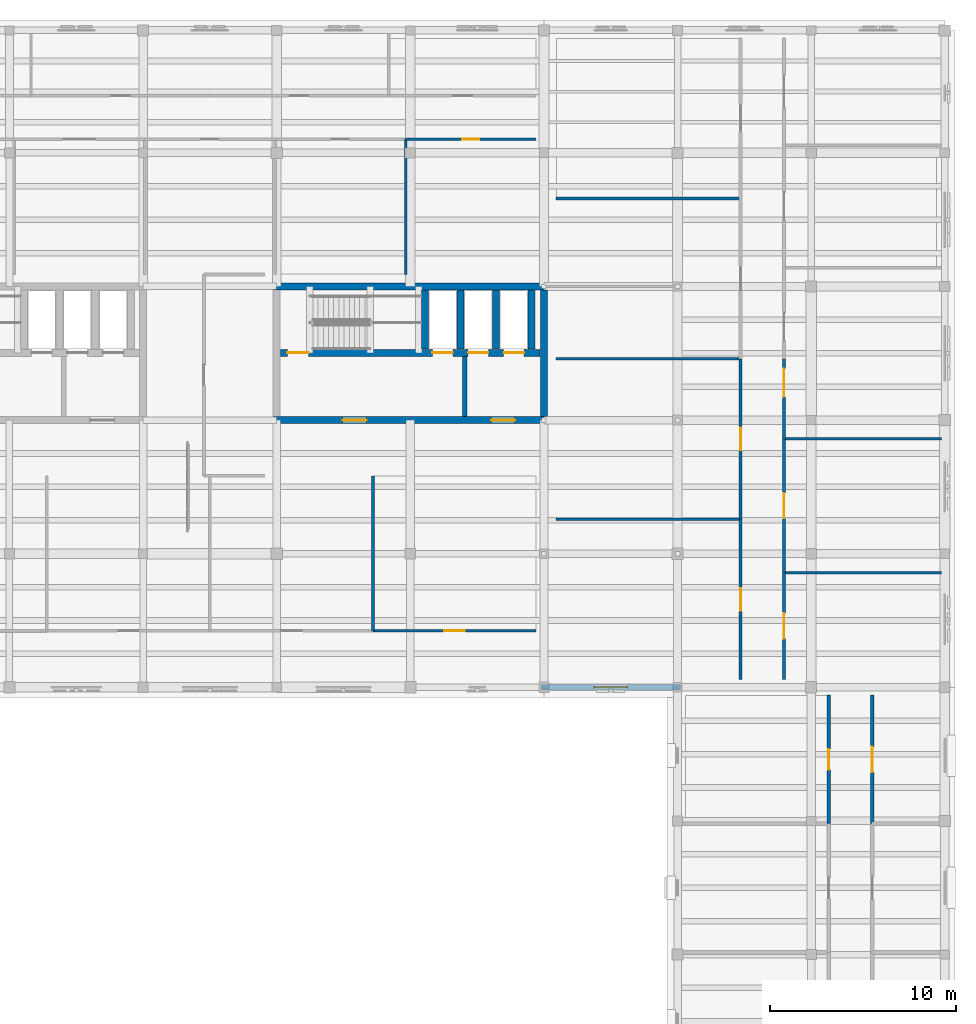
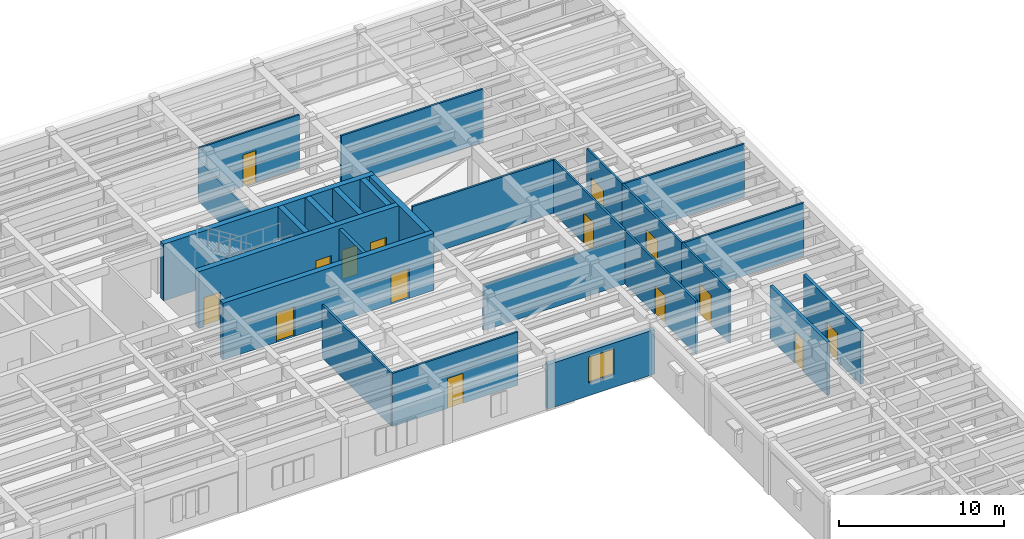
# One storey, part 18 of 27: 26 walls, 15 doors, 1 window, 16 openings.
"""IFC4 building model written with IfcOpenShell, lengths in metres."""

from ifc_helpers import new_model, si_unit, direction, frame, frame_2d, origin, place, context, subcontext, project, spatial, rectangle, extrude, material, layer, layer_set, type_object, element, fill, save


model = new_model("IFC4")

# Units and contexts
model_context = context("Model", 3, precision=1e-05, world=origin(), true_north=direction((0.0, 1.0)))
body_context = subcontext(model_context, "Body", "Model", "MODEL_VIEW")
ifc_project = project(units=[si_unit("LENGTHUNIT", "METRE"), si_unit("AREAUNIT", "SQUARE_METRE"), si_unit("VOLUMEUNIT", "CUBIC_METRE"), si_unit("PLANEANGLEUNIT", "RADIAN"), si_unit("MASSUNIT", "GRAM", prefix="KILO")], contexts=[model_context])

# Site, building, storey
site_placement = place(None, origin())
site = spatial("IfcSite", under=ifc_project, at=site_placement, CompositionType="ELEMENT")
building_placement = place(site_placement, origin())
building = spatial("IfcBuilding", under=site, at=building_placement, Name="Mithqara Police Headquarters", CompositionType="ELEMENT")
storey_placement = place(building_placement, frame((0.0, 0.0, 18.0)))
storey = spatial("IfcBuildingStorey", under=building, at=storey_placement, Name="L04", CompositionType="ELEMENT", Elevation=18.0)

# Wall
ifc_material_1 = material(Name="Concrete C40/50", Category="concrete")
ifc_layer_1 = layer(ifc_material_1, 0.239990234375, Name="Concrete C40/50")
ifc_layer_set_1 = layer_set([ifc_layer_1], Name="Concrete C40/50")
wall_type_1 = type_object("IfcWallType", Name="CORE LOBBY WALL 240", PredefinedType="SOLIDWALL", material=ifc_layer_set_1)
wall_1_placement = place(storey_placement, frame((140.330078125, 93.18994140625, 0.0), z_axis=(0.0, 0.0, 1.0), x_axis=(0.0, 1.0, 0.0)))
element("IfcWall", 1, at=wall_1_placement, inside=storey, type_object=wall_type_1, Name="Core C2 Command East Firefighting Lobby Separation Wall L04", PredefinedType="SOLIDWALL", context=body_context, shape_type="SweptSolid", body=[
    extrude(rectangle(XDim=3.239990234375, YDim=0.239990234375, at=frame_2d((1.6201171875, 0.0))), origin(), (0.0, 0.0, 1.0), 3.909912109375),
])

# Wall, opening, window
ifc_material_2 = material(Name="Ochre masonry cavity wall, 35 MPa", Category="masonry")
ifc_layer_2 = layer(ifc_material_2, 0.300048828125, Name="Ochre masonry cavity wall, 35 MPa")
ifc_layer_set_2 = layer_set([ifc_layer_2], Name="Ochre masonry cavity wall, 35 MPa")
wall_type_2 = type_object("IfcWallType", Name="EXT WALL OCHRE BRICK300", PredefinedType="SOLIDWALL", material=ifc_layer_set_2)
wall_2_placement = place(storey_placement, frame((144.449951171875, 78.60009765625, 0.0), z_axis=(0.0, 0.0, 1.0), x_axis=(1.0, 0.0, 0.0)))
wall_2 = element("IfcWall", 2, at=wall_2_placement, inside=storey, type_object=wall_type_2, Name="L04 Exterior Wall 15.1", PredefinedType="SOLIDWALL", context=body_context, shape_type="SweptSolid", body=[
    extrude(rectangle(XDim=7.5, YDim=0.300048828125, at=frame_2d((3.75, 0.0))), origin(), (0.0, 0.0, 1.0), 3.2900390625),
])
opening_1_placement = place(wall_2_placement, frame((2.85009765625, 0.0, 0.949951171875)))
opening_1 = element("IfcOpeningElement", 3, at=opening_1_placement, cuts=wall_2, Name="Opening W-33", PredefinedType="OPENING", context=body_context, shape_type="SweptSolid", body=[
    extrude(rectangle(XDim=1.800048828125, YDim=1.89990234375, at=frame_2d((0.89990234375, 0.949951171875))), frame((0.0, 0.16015625, 0.0), z_axis=(0.0, -1.0, 0.0), x_axis=(1.0, 0.0, 0.0)), (0.0, 0.0, 1.0), 0.320068359375),
])
ifc_material_3 = material(Name="Spectrally selective double low-e glass", Category="glass")
window_type = type_object("IfcWindowType", Name="WINDOW 1800X1900", PartitioningType="DOUBLE_PANEL_VERTICAL", PredefinedType="WINDOW", material=ifc_material_3)
window_placement = place(opening_1_placement, origin())
window = element("IfcWindow", 4, at=window_placement, inside=storey, type_object=window_type, Name="L04 Command Block Screened Window 15.1", OverallHeight=1.89990234375, OverallWidth=1.800048828125, PartitioningType="SINGLE_PANEL", PredefinedType="WINDOW", context=body_context, shape_type="SweptSolid", body=[
    extrude(rectangle(XDim=1.800048828125, YDim=1.89990234375, at=frame_2d((0.89990234375, 0.949951171875))), frame((0.0, 0.030029296875, 0.0), z_axis=(0.0, -1.0, 0.0), x_axis=(1.0, 0.0, 0.0)), (0.0, 0.0, 1.0), 0.06005859375),
])
fill(opening_1, window)

# Wall
ifc_material_4 = material(Name="Gypsum acoustic stud partition", Category="gypsum")
ifc_layer_3 = layer(ifc_material_4, 0.1201171875, Name="Gypsum acoustic stud partition")
ifc_layer_set_3 = layer_set([ifc_layer_3], Name="Gypsum acoustic stud partition")
wall_type_3 = type_object("IfcWallType", Name="PART WALL 120", PredefinedType="PARTITIONING", material=ifc_layer_set_3)
wall_3_placement = place(storey_placement, frame((137.14794921875, 100.85009765625, 0.0), z_axis=(0.0, 0.0, 1.0), x_axis=(0.0, 1.0, 0.0)))
element("IfcWall", 5, at=wall_3_placement, inside=storey, type_object=wall_type_3, Name="L04 Room Partition Forensic Accounting Room", PredefinedType="PARTITIONING", context=body_context, shape_type="SweptSolid", body=[
    extrude(rectangle(XDim=7.289794921875, YDim=0.1201171875, at=frame_2d((3.64501953125, 0.0))), origin(), (0.0, 0.0, 1.0), 3.0400390625),
])

# Wall, opening, door
wall_4_placement = place(storey_placement, frame((137.14794921875, 108.139892578125, 0.0), z_axis=(0.0, 0.0, 1.0), x_axis=(1.0, 0.0, 0.0)))
wall_4 = element("IfcWall", 6, at=wall_4_placement, inside=storey, type_object=wall_type_3, Name="L04 Corridor Wall Financial Crime Investigation Office", PredefinedType="PARTITIONING", context=body_context, shape_type="SweptSolid", body=[
    extrude(rectangle(XDim=7.031982421875, YDim=0.1201171875, at=frame_2d((3.51611328125, 0.0))), origin(), (0.0, 0.0, 1.0), 3.93994140625),
])
opening_2_placement = place(wall_4_placement, frame((3.055908203125, 0.0, 0.0)))
opening_2 = element("IfcOpeningElement", 7, at=opening_2_placement, cuts=wall_4, Name="Opening D-03", PredefinedType="OPENING", context=body_context, shape_type="SweptSolid", body=[
    extrude(rectangle(XDim=0.919921875, YDim=2.35009765625, at=frame_2d((0.4599609375, 1.175048828125))), frame((0.0, 0.070068359375, 0.0), z_axis=(0.0, -1.0, 0.0), x_axis=(1.0, 0.0, 0.0)), (0.0, 0.0, 1.0), 0.14013671875),
])
ifc_material_5 = material(Name="Acoustic solid-core timber leaf", Category="wood")
door_type_1 = type_object("IfcDoorType", Name="INT DOOR 920X2350", OperationType="NOTDEFINED", PredefinedType="DOOR", material=ifc_material_5)
door_1_placement = place(opening_2_placement, frame((0.919921875, 0.0, 0.0), z_axis=(0.0, 0.0, 1.0), x_axis=(-1.0, 0.0, 0.0)))
door_1 = element("IfcDoor", 8, at=door_1_placement, inside=storey, type_object=door_type_1, Name="Financial Crime Investigation Office Entry Door", OperationType="SINGLE_SWING_RIGHT", OverallHeight=2.35009765625, OverallWidth=0.919921875, PredefinedType="DOOR", context=body_context, shape_type="SweptSolid", body=[
    extrude(rectangle(XDim=0.919921875, YDim=2.35009765625, at=frame_2d((0.4599609375, 1.175048828125))), frame((0.0, 0.02490234375, 0.0), z_axis=(0.0, -1.0, 0.0), x_axis=(1.0, 0.0, 0.0)), (0.0, 0.0, 1.0), 0.050048828125),
])
fill(opening_2, door_1)

# Wall
ifc_layer_4 = layer(ifc_material_4, 0.139892578125, Name="Gypsum acoustic stud partition")
ifc_layer_set_4 = layer_set([ifc_layer_4], Name="Gypsum acoustic stud partition")
wall_type_4 = type_object("IfcWallType", Name="PART WALL 140", PredefinedType="PARTITIONING", material=ifc_layer_set_4)
wall_5_placement = place(storey_placement, frame((135.389892578125, 81.639892578125, 0.0), z_axis=(0.0, 0.0, 1.0), x_axis=(0.0, 1.0, 0.0)))
element("IfcWall", 9, at=wall_5_placement, inside=storey, type_object=wall_type_4, Name="L04 Room Partition Case Briefing Room", PredefinedType="PARTITIONING", context=body_context, shape_type="SweptSolid", body=[
    extrude(rectangle(XDim=8.360107421875, YDim=0.139892578125, at=frame_2d((4.18017578125, 0.0))), origin(), (0.0, 0.0, 1.0), 3.93994140625),
])

# Wall, opening, door
wall_6_placement = place(storey_placement, frame((135.389892578125, 81.639892578125, 0.0), z_axis=(0.0, 0.0, 1.0), x_axis=(1.0, 0.0, 0.0)))
wall_6 = element("IfcWall", 10, at=wall_6_placement, inside=storey, type_object=wall_type_4, Name="L04 Corridor Wall Forensic Accounting Room", PredefinedType="PARTITIONING", context=body_context, shape_type="SweptSolid", body=[
    extrude(rectangle(XDim=8.7900390625, YDim=0.139892578125, at=frame_2d((4.39501953125, 0.0))), origin(), (0.0, 0.0, 1.0), 3.93994140625),
])
opening_3_placement = place(wall_6_placement, frame((3.844970703125, 0.0, 0.0)))
opening_3 = element("IfcOpeningElement", 11, at=opening_3_placement, cuts=wall_6, Name="Opening D-11", PredefinedType="OPENING", context=body_context, shape_type="SweptSolid", body=[
    extrude(rectangle(XDim=1.10009765625, YDim=2.219970703125, at=frame_2d((0.550048828125, 1.10986328125))), frame((0.0, 0.080078125, 0.0), z_axis=(0.0, -1.0, 0.0), x_axis=(1.0, 0.0, 0.0)), (0.0, 0.0, 1.0), 0.159912109375),
])
door_type_2 = type_object("IfcDoorType", Name="INT DOOR 1100X2220", OperationType="NOTDEFINED", PredefinedType="DOOR", material=ifc_material_5)
door_2_placement = place(opening_3_placement, origin())
door_2 = element("IfcDoor", 12, at=door_2_placement, inside=storey, type_object=door_type_2, Name="Forensic Accounting Room Entry Door", OperationType="SINGLE_SWING_RIGHT", OverallHeight=2.219970703125, OverallWidth=1.10009765625, PredefinedType="DOOR", context=body_context, shape_type="SweptSolid", body=[
    extrude(rectangle(XDim=1.10009765625, YDim=2.219970703125, at=frame_2d((0.550048828125, 1.10986328125))), frame((0.0, 0.02490234375, 0.0), z_axis=(0.0, -1.0, 0.0), x_axis=(1.0, 0.0, 0.0)), (0.0, 0.0, 1.0), 0.050048828125),
])
fill(opening_3, door_2)

wall_7_placement = place(storey_placement, frame((155.195068359375, 79.02001953125, 0.0), z_axis=(0.0, 0.0, 1.0), x_axis=(0.0, 1.0, 0.0)))
wall_7 = element("IfcWall", 13, at=wall_7_placement, inside=storey, type_object=wall_type_4, Name="L04 Corridor Wall International Cooperation Desk", PredefinedType="PARTITIONING", context=body_context, shape_type="SweptSolid", body=[
    extrude(rectangle(XDim=8.639892578125, YDim=0.139892578125, at=frame_2d((4.31982421875, 0.0))), origin(), (0.0, 0.0, 1.0), 3.93994140625),
])
opening_4_placement = place(wall_7_placement, frame((3.7099609375, 0.0, 0.0)))
opening_4 = element("IfcOpeningElement", 14, at=opening_4_placement, cuts=wall_7, Name="Opening D-13", PredefinedType="OPENING", context=body_context, shape_type="SweptSolid", body=[
    extrude(rectangle(XDim=1.219970703125, YDim=2.10009765625, at=frame_2d((0.60986328125, 1.050048828125))), frame((0.0, 0.080078125, 0.0), z_axis=(0.0, -1.0, 0.0), x_axis=(1.0, 0.0, 0.0)), (0.0, 0.0, 1.0), 0.159912109375),
])
door_type_3 = type_object("IfcDoorType", Name="INT DOOR 1220X2100", OperationType="NOTDEFINED", PredefinedType="DOOR", material=ifc_material_5)
door_3_placement = place(opening_4_placement, frame((1.219970703125, 0.0, 0.0), z_axis=(0.0, 0.0, 1.0), x_axis=(-1.0, 0.0, 0.0)))
door_3 = element("IfcDoor", 15, at=door_3_placement, inside=storey, type_object=door_type_3, Name="International Cooperation Desk Entry Door", OperationType="SINGLE_SWING_RIGHT", OverallHeight=2.10009765625, OverallWidth=1.219970703125, PredefinedType="DOOR", context=body_context, shape_type="SweptSolid", body=[
    extrude(rectangle(XDim=1.219970703125, YDim=2.10009765625, at=frame_2d((0.60986328125, 1.050048828125))), frame((0.0, 0.02490234375, 0.0), z_axis=(0.0, -1.0, 0.0), x_axis=(1.0, 0.0, 0.0)), (0.0, 0.0, 1.0), 0.050048828125),
])
fill(opening_4, door_3)

# Wall
wall_8_placement = place(storey_placement, frame((145.25, 87.659912109375, 0.0), z_axis=(0.0, 0.0, 1.0), x_axis=(1.0, 0.0, 0.0)))
element("IfcWall", 16, at=wall_8_placement, inside=storey, type_object=wall_type_4, Name="L04 Room Partition International Cooperation Desk", PredefinedType="PARTITIONING", context=body_context, shape_type="SweptSolid", body=[
    extrude(rectangle(XDim=9.945068359375, YDim=0.139892578125, at=frame_2d((4.97265625, 0.0))), origin(), (0.0, 0.0, 1.0), 3.389892578125),
])

# Wall, opening, door
wall_9_placement = place(storey_placement, frame((155.195068359375, 87.659912109375, 0.0), z_axis=(0.0, 0.0, 1.0), x_axis=(0.0, 1.0, 0.0)))
wall_9 = element("IfcWall", 17, at=wall_9_placement, inside=storey, type_object=wall_type_4, Name="L04 Corridor Wall Extradition Casework Office", PredefinedType="PARTITIONING", context=body_context, shape_type="SweptSolid", body=[
    extrude(rectangle(XDim=8.64013671875, YDim=0.139892578125, at=frame_2d((4.320068359375, 0.0))), origin(), (0.0, 0.0, 1.0), 3.93994140625),
])
opening_5_placement = place(wall_9_placement, frame((3.7099609375, 0.0, 0.0)))
opening_5 = element("IfcOpeningElement", 18, at=opening_5_placement, cuts=wall_9, Name="Opening D-14", PredefinedType="OPENING", context=body_context, shape_type="SweptSolid", body=[
    extrude(rectangle(XDim=1.219970703125, YDim=2.219970703125, at=frame_2d((0.60986328125, 1.10986328125))), frame((0.0, 0.080078125, 0.0), z_axis=(0.0, -1.0, 0.0), x_axis=(1.0, 0.0, 0.0)), (0.0, 0.0, 1.0), 0.159912109375),
])
door_type_4 = type_object("IfcDoorType", Name="INT DOOR 1220X2220", OperationType="NOTDEFINED", PredefinedType="DOOR", material=ifc_material_5)
door_4_placement = place(opening_5_placement, frame((1.219970703125, 0.0, 0.0), z_axis=(0.0, 0.0, 1.0), x_axis=(-1.0, 0.0, 0.0)))
door_4 = element("IfcDoor", 19, at=door_4_placement, inside=storey, type_object=door_type_4, Name="Extradition Casework Office Entry Door", OperationType="SINGLE_SWING_LEFT", OverallHeight=2.219970703125, OverallWidth=1.219970703125, PredefinedType="DOOR", context=body_context, shape_type="SweptSolid", body=[
    extrude(rectangle(XDim=1.219970703125, YDim=2.219970703125, at=frame_2d((0.60986328125, 1.10986328125))), frame((0.0, 0.02490234375, 0.0), z_axis=(0.0, -1.0, 0.0), x_axis=(1.0, 0.0, 0.0)), (0.0, 0.0, 1.0), 0.050048828125),
])
fill(opening_5, door_4)

# Walls
for number, where, z_axis, x_axis, name in (
    (20, (145.25, 96.300048828125, 0.0), (0.0, 0.0, 1.0), (1.0, 0.0, 0.0), "L04 Room Partition Extradition Casework Office"),
    (21, (145.25, 104.93994140625, 0.0), (0.0, 0.0, 1.0), (1.0, 0.0, 0.0), "L04 Room Partition Male Staff WC"),
):
    element("IfcWall", number, at=place(storey_placement, frame(where, z_axis=z_axis, x_axis=x_axis)), inside=storey, type_object=wall_type_4, Name=name, PredefinedType="PARTITIONING", context=body_context, shape_type="SweptSolid", body=[
        extrude(rectangle(XDim=9.945068359375, YDim=0.139892578125, at=frame_2d((4.97265625, 0.0))), origin(), (0.0, 0.0, 1.0), 3.93994140625),
    ])

# Wall, opening, door
wall_10_placement = place(storey_placement, frame((157.534912109375, 79.02001953125, 0.0), z_axis=(0.0, 0.0, 1.0), x_axis=(0.0, 1.0, 0.0)))
wall_10 = element("IfcWall", 22, at=wall_10_placement, inside=storey, type_object=wall_type_4, Name="L04 Corridor Wall International Cooperation Desk", PredefinedType="PARTITIONING", context=body_context, shape_type="SweptSolid", body=[
    extrude(rectangle(XDim=5.760009765625, YDim=0.139892578125, at=frame_2d((2.8798828125, 0.0))), origin(), (0.0, 0.0, 1.0), 3.93994140625),
])
opening_6_placement = place(wall_10_placement, frame((2.199951171875, 0.0, 0.0)))
opening_6 = element("IfcOpeningElement", 23, at=opening_6_placement, cuts=wall_10, Name="Opening D-17", PredefinedType="OPENING", context=body_context, shape_type="SweptSolid", body=[
    extrude(rectangle(XDim=1.360107421875, YDim=2.219970703125, at=frame_2d((0.68017578125, 1.10986328125))), frame((0.0, 0.080078125, 0.0), z_axis=(0.0, -1.0, 0.0), x_axis=(1.0, 0.0, 0.0)), (0.0, 0.0, 1.0), 0.159912109375),
])
ifc_material_6 = material(Name="Bronze anodised aluminium 6063-T6", Category="aluminium")
door_type_5 = type_object("IfcDoorType", Name="INT DOOR 1360X2220", OperationType="NOTDEFINED", PredefinedType="DOOR", material=ifc_material_6)
door_5_placement = place(opening_6_placement, origin())
door_5 = element("IfcDoor", 24, at=door_5_placement, inside=storey, type_object=door_type_5, Name="International Cooperation Desk Entry Door", OperationType="SINGLE_SWING_RIGHT", OverallHeight=2.219970703125, OverallWidth=1.360107421875, PredefinedType="DOOR", context=body_context, shape_type="SweptSolid", body=[
    extrude(rectangle(XDim=1.360107421875, YDim=2.219970703125, at=frame_2d((0.68017578125, 1.10986328125))), frame((0.0, 0.02490234375, 0.0), z_axis=(0.0, -1.0, 0.0), x_axis=(1.0, 0.0, 0.0)), (0.0, 0.0, 1.0), 0.050048828125),
])
fill(opening_6, door_5)

# Wall
wall_11_placement = place(storey_placement, frame((157.534912109375, 84.780029296875, 0.0), z_axis=(0.0, 0.0, 1.0), x_axis=(1.0, 0.0, 0.0)))
element("IfcWall", 25, at=wall_11_placement, inside=storey, type_object=wall_type_4, Name="L04 Room Partition International Cooperation Desk", PredefinedType="PARTITIONING", context=body_context, shape_type="SweptSolid", body=[
    extrude(rectangle(XDim=8.485107421875, YDim=0.139892578125, at=frame_2d((4.24267578125, 0.0))), origin(), (0.0, 0.0, 1.0), 3.93994140625),
])

# Wall, opening, door
wall_12_placement = place(storey_placement, frame((157.534912109375, 84.780029296875, 0.0), z_axis=(0.0, 0.0, 1.0), x_axis=(0.0, 1.0, 0.0)))
wall_12 = element("IfcWall", 26, at=wall_12_placement, inside=storey, type_object=wall_type_4, Name="L04 Corridor Wall International Cooperation Desk", PredefinedType="PARTITIONING", context=body_context, shape_type="SweptSolid", body=[
    extrude(rectangle(XDim=7.2099609375, YDim=0.139892578125, at=frame_2d((3.60498046875, 0.0))), origin(), (0.0, 0.0, 1.0), 3.93994140625),
])
opening_7_placement = place(wall_12_placement, frame((2.925048828125, 0.0, 0.0)))
opening_7 = element("IfcOpeningElement", 27, at=opening_7_placement, cuts=wall_12, Name="Opening D-18", PredefinedType="OPENING", context=body_context, shape_type="SweptSolid", body=[
    extrude(rectangle(XDim=1.360107421875, YDim=2.35009765625, at=frame_2d((0.68017578125, 1.175048828125))), frame((0.0, 0.080078125, 0.0), z_axis=(0.0, -1.0, 0.0), x_axis=(1.0, 0.0, 0.0)), (0.0, 0.0, 1.0), 0.159912109375),
])
door_type_6 = type_object("IfcDoorType", Name="INT DOOR 1360X2350", OperationType="NOTDEFINED", PredefinedType="DOOR", material=ifc_material_6)
door_6_placement = place(opening_7_placement, origin())
door_6 = element("IfcDoor", 28, at=door_6_placement, inside=storey, type_object=door_type_6, Name="International Cooperation Desk Entry Door", OperationType="SINGLE_SWING_LEFT", OverallHeight=2.35009765625, OverallWidth=1.360107421875, PredefinedType="DOOR", context=body_context, shape_type="SweptSolid", body=[
    extrude(rectangle(XDim=1.360107421875, YDim=2.35009765625, at=frame_2d((0.68017578125, 1.175048828125))), frame((0.0, 0.02490234375, 0.0), z_axis=(0.0, -1.0, 0.0), x_axis=(1.0, 0.0, 0.0)), (0.0, 0.0, 1.0), 0.050048828125),
])
fill(opening_7, door_6)

# Wall
wall_13_placement = place(storey_placement, frame((157.534912109375, 91.989990234375, 0.0), z_axis=(0.0, 0.0, 1.0), x_axis=(1.0, 0.0, 0.0)))
element("IfcWall", 29, at=wall_13_placement, inside=storey, type_object=wall_type_4, Name="L04 Room Partition International Cooperation Desk", PredefinedType="PARTITIONING", context=body_context, shape_type="SweptSolid", body=[
    extrude(rectangle(XDim=8.485107421875, YDim=0.139892578125, at=frame_2d((4.24267578125, 0.0))), origin(), (0.0, 0.0, 1.0), 3.93994140625),
])

# Wall, opening, door
wall_14_placement = place(storey_placement, frame((157.534912109375, 91.989990234375, 0.0), z_axis=(0.0, 0.0, 1.0), x_axis=(0.0, 1.0, 0.0)))
wall_14 = element("IfcWall", 30, at=wall_14_placement, inside=storey, type_object=wall_type_4, Name="L04 Corridor Wall Extradition Casework Office", PredefinedType="PARTITIONING", context=body_context, shape_type="SweptSolid", body=[
    extrude(rectangle(XDim=4.31005859375, YDim=0.139892578125, at=frame_2d((2.155029296875, 0.0))), origin(), (0.0, 0.0, 1.0), 3.93994140625),
])
opening_8_placement = place(wall_14_placement, frame((2.257080078125, 0.0, 0.0)))
opening_8 = element("IfcOpeningElement", 31, at=opening_8_placement, cuts=wall_14, Name="Opening D-19", PredefinedType="OPENING", context=body_context, shape_type="SweptSolid", body=[
    extrude(rectangle(XDim=1.52001953125, YDim=2.10009765625, at=frame_2d((0.760009765625, 1.050048828125))), frame((0.0, 0.080078125, 0.0), z_axis=(0.0, -1.0, 0.0), x_axis=(1.0, 0.0, 0.0)), (0.0, 0.0, 1.0), 0.159912109375),
])
door_type_7 = type_object("IfcDoorType", Name="INT DOOR 1520X2100", OperationType="NOTDEFINED", PredefinedType="DOOR", material=ifc_material_6)
door_7_placement = place(opening_8_placement, origin())
door_7 = element("IfcDoor", 32, at=door_7_placement, inside=storey, type_object=door_type_7, Name="Extradition Casework Office Entry Door", OperationType="DOUBLE_DOOR_SINGLE_SWING", OverallHeight=2.10009765625, OverallWidth=1.52001953125, PredefinedType="DOOR", context=body_context, shape_type="SweptSolid", body=[
    extrude(rectangle(XDim=1.52001953125, YDim=2.10009765625, at=frame_2d((0.760009765625, 1.050048828125))), frame((0.0, 0.02490234375, 0.0), z_axis=(0.0, -1.0, 0.0), x_axis=(1.0, 0.0, 0.0)), (0.0, 0.0, 1.0), 0.050048828125),
])
fill(opening_8, door_7)

ifc_layer_5 = layer(ifc_material_1, 0.2099609375, Name="Concrete C40/50")
ifc_layer_set_5 = layer_set([ifc_layer_5], Name="Concrete C40/50")
wall_type_5 = type_object("IfcWallType", Name="PART WALL 210", PredefinedType="PARTITIONING", material=ifc_layer_set_5)
wall_15_placement = place(storey_placement, frame((159.949951171875, 71.248046875, 0.0), z_axis=(0.0, 0.0, 1.0), x_axis=(0.0, 1.0, 0.0)))
wall_15 = element("IfcWall", 33, at=wall_15_placement, inside=storey, type_object=wall_type_5, Name="L04 Corridor Wall Spectrometry Room", PredefinedType="PARTITIONING", context=body_context, shape_type="SweptSolid", body=[
    extrude(rectangle(XDim=6.931884765625, YDim=0.2099609375, at=frame_2d((3.4658203125, 0.0))), origin(), (0.0, 0.0, 1.0), 3.93994140625),
])
opening_9_placement = place(wall_15_placement, frame((2.916015625, 0.0, 0.0)))
opening_9 = element("IfcOpeningElement", 34, at=opening_9_placement, cuts=wall_15, Name="Opening D-12", PredefinedType="OPENING", context=body_context, shape_type="SweptSolid", body=[
    extrude(rectangle(XDim=1.10009765625, YDim=2.35009765625, at=frame_2d((0.550048828125, 1.175048828125))), frame((0.0, 0.114990234375, 0.0), z_axis=(0.0, -1.0, 0.0), x_axis=(1.0, 0.0, 0.0)), (0.0, 0.0, 1.0), 0.22998046875),
])
door_type_8 = type_object("IfcDoorType", Name="INT DOOR 1100X2350", OperationType="NOTDEFINED", PredefinedType="DOOR", material=ifc_material_5)
door_8_placement = place(opening_9_placement, frame((1.10009765625, 0.0, 0.0), z_axis=(0.0, 0.0, 1.0), x_axis=(-1.0, 0.0, 0.0)))
door_8 = element("IfcDoor", 35, at=door_8_placement, inside=storey, type_object=door_type_8, Name="Spectrometry Room Entry Door", OperationType="SINGLE_SWING_LEFT", OverallHeight=2.35009765625, OverallWidth=1.10009765625, PredefinedType="DOOR", context=body_context, shape_type="SweptSolid", body=[
    extrude(rectangle(XDim=1.10009765625, YDim=2.35009765625, at=frame_2d((0.550048828125, 1.175048828125))), frame((0.0, 0.02490234375, 0.0), z_axis=(0.0, -1.0, 0.0), x_axis=(1.0, 0.0, 0.0)), (0.0, 0.0, 1.0), 0.050048828125),
])
fill(opening_9, door_8)

wall_16_placement = place(storey_placement, frame((162.2900390625, 71.248046875, 0.0), z_axis=(0.0, 0.0, 1.0), x_axis=(0.0, 1.0, 0.0)))
wall_16 = element("IfcWall", 36, at=wall_16_placement, inside=storey, type_object=wall_type_5, Name="L04 Corridor Wall Spectrometry Room", PredefinedType="PARTITIONING", context=body_context, shape_type="SweptSolid", body=[
    extrude(rectangle(XDim=6.931884765625, YDim=0.2099609375, at=frame_2d((3.4658203125, 0.0))), origin(), (0.0, 0.0, 1.0), 3.93994140625),
])
opening_10_placement = place(wall_16_placement, frame((2.785888671875, 0.0, 0.0)))
opening_10 = element("IfcOpeningElement", 37, at=opening_10_placement, cuts=wall_16, Name="Opening D-16", PredefinedType="OPENING", context=body_context, shape_type="SweptSolid", body=[
    extrude(rectangle(XDim=1.360107421875, YDim=2.10009765625, at=frame_2d((0.68017578125, 1.050048828125))), frame((0.0, 0.114990234375, 0.0), z_axis=(0.0, -1.0, 0.0), x_axis=(1.0, 0.0, 0.0)), (0.0, 0.0, 1.0), 0.22998046875),
])
door_type_9 = type_object("IfcDoorType", Name="INT DOOR 1360X2100", OperationType="NOTDEFINED", PredefinedType="DOOR", material=ifc_material_6)
door_9_placement = place(opening_10_placement, origin())
door_9 = element("IfcDoor", 38, at=door_9_placement, inside=storey, type_object=door_type_9, Name="Spectrometry Room Entry Door", OperationType="SINGLE_SWING_LEFT", OverallHeight=2.10009765625, OverallWidth=1.360107421875, PredefinedType="DOOR", context=body_context, shape_type="SweptSolid", body=[
    extrude(rectangle(XDim=1.360107421875, YDim=2.10009765625, at=frame_2d((0.68017578125, 1.050048828125))), frame((0.0, 0.02490234375, 0.0), z_axis=(0.0, -1.0, 0.0), x_axis=(1.0, 0.0, 0.0)), (0.0, 0.0, 1.0), 0.050048828125),
])
fill(opening_10, door_9)

# Wall
ifc_material_7 = material(Name="Concrete C50/60", Category="concrete")
ifc_layer_6 = layer(ifc_material_7, 0.3798828125, Name="Concrete C50/60")
ifc_layer_set_6 = layer_set([ifc_layer_6], Name="Concrete C50/60")
wall_type_6 = type_object("IfcWallType", Name="SHEAR WALL 380", PredefinedType="SHEAR", material=ifc_layer_set_6)
wall_17_placement = place(storey_placement, frame((130.010009765625, 100.199951171875, 0.0), z_axis=(0.0, 0.0, 1.0), x_axis=(1.0, 0.0, 0.0)))
element("IfcWall", 39, at=wall_17_placement, inside=storey, type_object=wall_type_6, Name="Core C2 Command East Shear Wall N", PredefinedType="SHEAR", context=body_context, shape_type="SweptSolid", body=[
    extrude(rectangle(XDim=14.780029296875, YDim=0.3798828125, at=frame_2d((7.39013671875, 0.0))), origin(), (0.0, 0.0, 1.0), 4.199951171875),
])

# Wall, openings, doors
wall_18_placement = place(storey_placement, frame((130.010009765625, 93.0, 0.0), z_axis=(0.0, 0.0, 1.0), x_axis=(1.0, 0.0, 0.0)))
wall_18 = element("IfcWall", 40, at=wall_18_placement, inside=storey, type_object=wall_type_6, Name="Core C2 Command East Shear Wall S", PredefinedType="SHEAR", context=body_context, shape_type="SweptSolid", body=[
    extrude(rectangle(XDim=14.780029296875, YDim=0.3798828125, at=frame_2d((7.39013671875, 0.0))), origin(), (0.0, 0.0, 1.0), 4.199951171875),
])
opening_11_placement = place(wall_18_placement, frame((3.739990234375, 0.0, 0.0)))
opening_11 = element("IfcOpeningElement", 41, at=opening_11_placement, cuts=wall_18, Name="Opening FD-02", PredefinedType="OPENING", context=body_context, shape_type="SweptSolid", body=[
    extrude(rectangle(XDim=1.300048828125, YDim=2.199951171875, at=frame_2d((0.64990234375, 1.10009765625))), frame((0.0, 0.199951171875, 0.0), z_axis=(0.0, -1.0, 0.0), x_axis=(1.0, 0.0, 0.0)), (0.0, 0.0, 1.0), 0.39990234375),
])
opening_12_placement = place(wall_18_placement, frame((11.739990234375, 0.0, 0.0)))
opening_12 = element("IfcOpeningElement", 42, at=opening_12_placement, cuts=wall_18, Name="Opening FD-02", PredefinedType="OPENING", context=body_context, shape_type="SweptSolid", body=[
    extrude(rectangle(XDim=1.300048828125, YDim=2.199951171875, at=frame_2d((0.64990234375, 1.10009765625))), frame((0.0, 0.199951171875, 0.0), z_axis=(0.0, -1.0, 0.0), x_axis=(1.0, 0.0, 0.0)), (0.0, 0.0, 1.0), 0.39990234375),
])
ifc_material_8 = material(Name="Steel S355JR", Category="steel")
door_type_10 = type_object("IfcDoorType", Name="CORE DOOR LOBBY 1300X2200", OperationType="NOTDEFINED", PredefinedType="DOOR", material=ifc_material_8)
door_10_placement = place(opening_11_placement, frame((1.300048828125, 0.0, 0.0), z_axis=(0.0, 0.0, 1.0), x_axis=(-1.0, 0.0, 0.0)))
door_10 = element("IfcDoor", 43, at=door_10_placement, inside=storey, type_object=door_type_10, Name="Core C2 Command East FF Lobby Fire Door L04", OperationType="SINGLE_SWING_LEFT", OverallHeight=2.199951171875, OverallWidth=1.300048828125, PredefinedType="DOOR", context=body_context, shape_type="SweptSolid", body=[
    extrude(rectangle(XDim=1.300048828125, YDim=2.199951171875, at=frame_2d((0.64990234375, 1.10009765625))), frame((0.0, 0.02490234375, 0.0), z_axis=(0.0, -1.0, 0.0), x_axis=(1.0, 0.0, 0.0)), (0.0, 0.0, 1.0), 0.050048828125),
])
fill(opening_11, door_10)
door_11_placement = place(opening_12_placement, frame((1.300048828125, 0.0, 0.0), z_axis=(0.0, 0.0, 1.0), x_axis=(-1.0, 0.0, 0.0)))
door_11 = element("IfcDoor", 44, at=door_11_placement, inside=storey, type_object=door_type_10, Name="Core C2 Command East PA Lobby Fire Door L04", OperationType="SINGLE_SWING_RIGHT", OverallHeight=2.199951171875, OverallWidth=1.300048828125, PredefinedType="DOOR", context=body_context, shape_type="SweptSolid", body=[
    extrude(rectangle(XDim=1.300048828125, YDim=2.199951171875, at=frame_2d((0.64990234375, 1.10009765625))), frame((0.0, 0.02490234375, 0.0), z_axis=(0.0, -1.0, 0.0), x_axis=(1.0, 0.0, 0.0)), (0.0, 0.0, 1.0), 0.050048828125),
])
fill(opening_12, door_11)

# Wall
wall_19_placement = place(storey_placement, frame((144.60009765625, 93.199951171875, 0.0), z_axis=(0.0, 0.0, 1.0), x_axis=(0.0, 1.0, 0.0)))
element("IfcWall", 45, at=wall_19_placement, inside=storey, type_object=wall_type_6, Name="Core C2 Command East Shear Wall E", PredefinedType="SHEAR", context=body_context, shape_type="SweptSolid", body=[
    extrude(rectangle(XDim=6.800048828125, YDim=0.3798828125, at=frame_2d((3.39990234375, 0.0))), origin(), (0.0, 0.0, 1.0), 4.199951171875),
])

# Wall, openings, doors
wall_20_placement = place(storey_placement, frame((130.39990234375, 96.6201171875, 0.0), z_axis=(0.0, 0.0, 1.0), x_axis=(1.0, 0.0, 0.0)))
wall_20 = element("IfcWall", 46, at=wall_20_placement, inside=storey, type_object=wall_type_6, Name="Core C2 Command East Shear Wall M", PredefinedType="SHEAR", context=body_context, shape_type="SweptSolid", body=[
    extrude(rectangle(XDim=14.0, YDim=0.3798828125, at=frame_2d((7.0, 0.0))), origin(), (0.0, 0.0, 1.0), 4.199951171875),
])
opening_13_placement = place(wall_20_placement, frame((8.18994140625, 0.0, 0.0)))
opening_13 = element("IfcOpeningElement", 47, at=opening_13_placement, cuts=wall_20, Name="Opening LD-01", PredefinedType="OPENING", context=body_context, shape_type="SweptSolid", body=[
    extrude(rectangle(XDim=1.10009765625, YDim=2.14990234375, at=frame_2d((0.550048828125, 1.074951171875))), frame((0.0, 0.199951171875, 0.0), z_axis=(0.0, -1.0, 0.0), x_axis=(1.0, 0.0, 0.0)), (0.0, 0.0, 1.0), 0.39990234375),
])
opening_14_placement = place(wall_20_placement, frame((10.110107421875, 0.0, 0.0)))
opening_14 = element("IfcOpeningElement", 48, at=opening_14_placement, cuts=wall_20, Name="Opening LD-01", PredefinedType="OPENING", context=body_context, shape_type="SweptSolid", body=[
    extrude(rectangle(XDim=1.10009765625, YDim=2.14990234375, at=frame_2d((0.550048828125, 1.074951171875))), frame((0.0, 0.199951171875, 0.0), z_axis=(0.0, -1.0, 0.0), x_axis=(1.0, 0.0, 0.0)), (0.0, 0.0, 1.0), 0.39990234375),
])
opening_15_placement = place(wall_20_placement, frame((12.030029296875, 0.0, 0.0)))
opening_15 = element("IfcOpeningElement", 49, at=opening_15_placement, cuts=wall_20, Name="Opening LD-01", PredefinedType="OPENING", context=body_context, shape_type="SweptSolid", body=[
    extrude(rectangle(XDim=1.10009765625, YDim=2.14990234375, at=frame_2d((0.550048828125, 1.074951171875))), frame((0.0, 0.199951171875, 0.0), z_axis=(0.0, -1.0, 0.0), x_axis=(1.0, 0.0, 0.0)), (0.0, 0.0, 1.0), 0.39990234375),
])
opening_16_placement = place(wall_20_placement, frame((0.375, 0.0, 0.0)))
opening_16 = element("IfcOpeningElement", 50, at=opening_16_placement, cuts=wall_20, Name="Opening FD-01", PredefinedType="OPENING", context=body_context, shape_type="SweptSolid", body=[
    extrude(rectangle(XDim=1.14990234375, YDim=2.14990234375, at=frame_2d((0.574951171875, 1.074951171875))), frame((0.0, 0.199951171875, 0.0), z_axis=(0.0, -1.0, 0.0), x_axis=(1.0, 0.0, 0.0)), (0.0, 0.0, 1.0), 0.39990234375),
])
door_type_11 = type_object("IfcDoorType", Name="CORE DOOR STAIR 1150X2150", OperationType="NOTDEFINED", PredefinedType="DOOR", material=ifc_material_8)
door_12_placement = place(opening_16_placement, origin())
door_12 = element("IfcDoor", 51, at=door_12_placement, inside=storey, type_object=door_type_11, Name="Stair ST-02 Fire Door L04", OperationType="SINGLE_SWING_RIGHT", OverallHeight=2.14990234375, OverallWidth=1.14990234375, PredefinedType="DOOR", context=body_context, shape_type="SweptSolid", body=[
    extrude(rectangle(XDim=1.14990234375, YDim=2.14990234375, at=frame_2d((0.574951171875, 1.074951171875))), frame((0.0, 0.02490234375, 0.0), z_axis=(0.0, -1.0, 0.0), x_axis=(1.0, 0.0, 0.0)), (0.0, 0.0, 1.0), 0.050048828125),
])
fill(opening_16, door_12)
door_type_12 = type_object("IfcDoorType", Name="LIFT DOOR 1100X2150", OperationType="DOUBLE_DOOR_SLIDING", PredefinedType="DOOR", material=ifc_material_8)
door_13_placement = place(opening_13_placement, frame((1.10009765625, 0.0, 0.0), z_axis=(0.0, 0.0, 1.0), x_axis=(-1.0, 0.0, 0.0)))
door_13 = element("IfcDoor", 52, at=door_13_placement, inside=storey, type_object=door_type_12, Name="Lift Landing Door FL-02-L04", OperationType="DOUBLE_DOOR_SLIDING", OverallHeight=2.14990234375, OverallWidth=1.10009765625, PredefinedType="DOOR", context=body_context, shape_type="SweptSolid", body=[
    extrude(rectangle(XDim=1.10009765625, YDim=2.14990234375, at=frame_2d((0.550048828125, 1.074951171875))), frame((0.0, 0.02490234375, 0.0), z_axis=(0.0, -1.0, 0.0), x_axis=(1.0, 0.0, 0.0)), (0.0, 0.0, 1.0), 0.050048828125),
])
fill(opening_13, door_13)
door_14_placement = place(opening_14_placement, frame((1.10009765625, 0.0, 0.0), z_axis=(0.0, 0.0, 1.0), x_axis=(-1.0, 0.0, 0.0)))
door_14 = element("IfcDoor", 53, at=door_14_placement, inside=storey, type_object=door_type_12, Name="Lift Landing Door LP-03-L04", OperationType="DOUBLE_DOOR_SLIDING", OverallHeight=2.14990234375, OverallWidth=1.10009765625, PredefinedType="DOOR", context=body_context, shape_type="SweptSolid", body=[
    extrude(rectangle(XDim=1.10009765625, YDim=2.14990234375, at=frame_2d((0.550048828125, 1.074951171875))), frame((0.0, 0.02490234375, 0.0), z_axis=(0.0, -1.0, 0.0), x_axis=(1.0, 0.0, 0.0)), (0.0, 0.0, 1.0), 0.050048828125),
])
fill(opening_14, door_14)
door_15_placement = place(opening_15_placement, frame((1.10009765625, 0.0, 0.0), z_axis=(0.0, 0.0, 1.0), x_axis=(-1.0, 0.0, 0.0)))
door_15 = element("IfcDoor", 54, at=door_15_placement, inside=storey, type_object=door_type_12, Name="Lift Landing Door LP-04-L04", OperationType="DOUBLE_DOOR_SLIDING", OverallHeight=2.14990234375, OverallWidth=1.10009765625, PredefinedType="DOOR", context=body_context, shape_type="SweptSolid", body=[
    extrude(rectangle(XDim=1.10009765625, YDim=2.14990234375, at=frame_2d((0.550048828125, 1.074951171875))), frame((0.0, 0.02490234375, 0.0), z_axis=(0.0, -1.0, 0.0), x_axis=(1.0, 0.0, 0.0)), (0.0, 0.0, 1.0), 0.050048828125),
])
fill(opening_15, door_15)

# Walls
for number, where, z_axis, x_axis, name in (
    (55, (138.179931640625, 96.820068359375, 0.0), (0.0, 0.0, 1.0), (0.0, 1.0, 0.0), "Core C2 Command East Shear Wall X"),
    (56, (140.10009765625, 96.820068359375, 0.0), (0.0, 0.0, 1.0), (0.0, 1.0, 0.0), "Core C2 Command East Shear Wall L1"),
    (57, (142.02001953125, 96.820068359375, 0.0), (0.0, 0.0, 1.0), (0.0, 1.0, 0.0), "Core C2 Command East Shear Wall L2"),
    (58, (143.93994140625, 96.820068359375, 0.0), (0.0, 0.0, 1.0), (0.0, 1.0, 0.0), "Core C2 Command East Shear Wall L3"),
):
    element("IfcWall", number, at=place(storey_placement, frame(where, z_axis=z_axis, x_axis=x_axis)), inside=storey, type_object=wall_type_6, Name=name, PredefinedType="SHEAR", context=body_context, shape_type="SweptSolid", body=[
        extrude(rectangle(XDim=3.179931640625, YDim=0.3798828125, at=frame_2d((1.58984375, 0.0))), origin(), (0.0, 0.0, 1.0), 4.199951171875),
    ])

save(model, "model.ifc")
